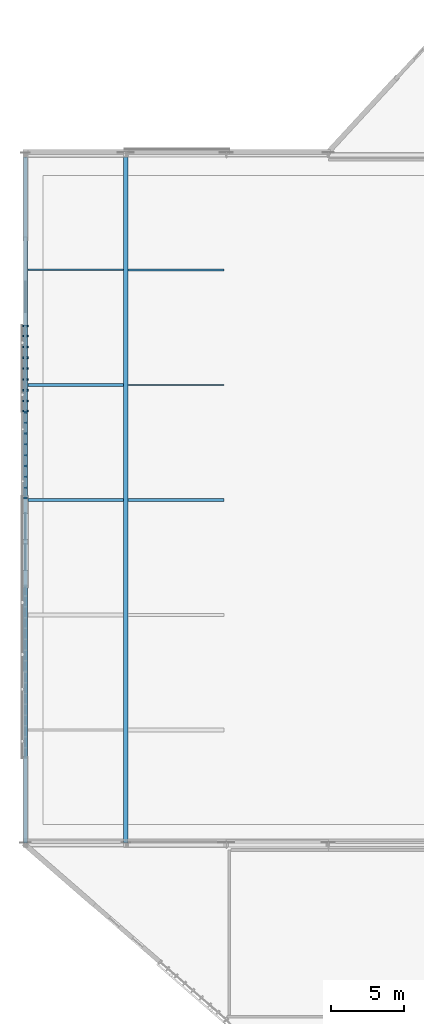
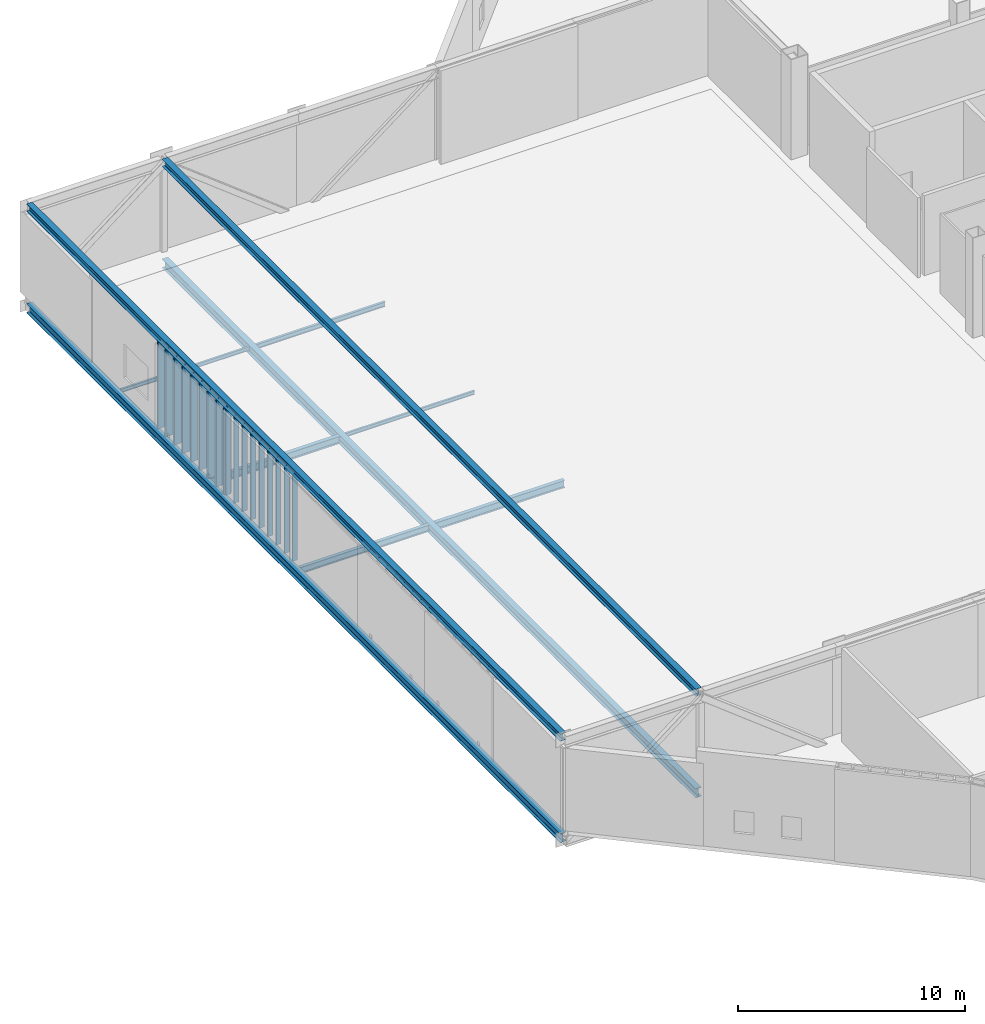
# One storey, part 20 of 135: 18 members, 10 beams, 2 elements without a shape of their own.
"""IFC4 building model written with IfcOpenShell, lengths in metres."""

from ifc_helpers import new_model, si_unit, direction, frame, origin, origin_2d, place, context, subcontext, project, spatial, rectangle, i_section, extrude, material, material_profile, profile_set, type_object, element, aggregate, save


model = new_model("IFC4")

# Units and contexts
model_context = context("Model", 3, precision=1e-05, world=origin(), true_north=direction((0.0, 1.0)))
body_context = subcontext(model_context, "Body", "Model", "MODEL_VIEW")
ifc_project = project(units=[si_unit("LENGTHUNIT", "METRE"), si_unit("AREAUNIT", "SQUARE_METRE"), si_unit("VOLUMEUNIT", "CUBIC_METRE"), si_unit("PLANEANGLEUNIT", "RADIAN"), si_unit("MASSUNIT", "GRAM", prefix="KILO")], contexts=[model_context])

# Site, building, storey
site_placement = place(None, origin())
site = spatial("IfcSite", under=ifc_project, at=site_placement, CompositionType="ELEMENT")
building_placement = place(site_placement, origin())
building = spatial("IfcBuilding", under=site, at=building_placement, Name="Larkvane Passage Sports Hall", CompositionType="ELEMENT")
storey_placement = place(building_placement, frame((0.0, 0.0, 16.800048828125)))
storey = spatial("IfcBuildingStorey", under=building, at=storey_placement, Name="L03", CompositionType="ELEMENT", Elevation=16.800048828125)

# Beams
ifc_material_1 = material(Name="Steel S355JR", Category="steel")
ifc_material_profile_1 = material_profile(ifc_material_1, i_section(OverallWidth=0.300048828125, OverallDepth=0.389892578125, WebThickness=0.010009765625, FlangeThickness=0.01611328125, FilletRadius=0.01806640625, at=origin_2d()), Name="H-390x300x10x16")
ifc_profile_set_1 = profile_set([ifc_material_profile_1], Name="Steel S355JR")
beam_type_1 = type_object("IfcBeamType", Name="BM-STL-H390", PredefinedType="BEAM", material=ifc_profile_set_1)
for number, where, z_axis, x_axis, name in (
    (1, (0.0, 51.75, 4.85498046875), (0.0, 1.0, 0.0), (-1.0, 0.0, 0.0), "Cantilever transverse top beam CT-W3A--1"),
    (2, (6.89990234375, 51.75, 4.85498046875), (0.0, 1.0, 0.0), (-1.0, 0.0, 0.0), "Cantilever transverse top beam CT-W3A--2"),
):
    element("IfcBeam", number, at=place(storey_placement, frame(where, z_axis=z_axis, x_axis=x_axis)), inside=storey, type_object=beam_type_1, Name=name, PredefinedType="BEAM", context=body_context, shape_type="SweptSolid", body=[
        extrude(i_section(OverallWidth=0.300048828125, OverallDepth=0.389892578125, WebThickness=0.010009765625, FlangeThickness=0.01611328125, FilletRadius=0.01806640625, at=origin_2d()), origin(), (0.0, 0.0, 1.0), 47.10009765625),
    ])
ifc_material_profile_2 = material_profile(ifc_material_1, i_section(OverallWidth=0.300048828125, OverallDepth=0.488037109375, WebThickness=0.010986328125, FlangeThickness=0.01806640625, FilletRadius=0.02197265625, at=origin_2d()), Name="H-488x300x11x18")
ifc_profile_set_2 = profile_set([ifc_material_profile_2], Name="Steel S355JR")
beam_type_2 = type_object("IfcBeamType", Name="BM-STL-H488", PredefinedType="BEAM", material=ifc_profile_set_2)
for number, where, z_axis, x_axis, name in (
    (3, (0.0, 51.75, -0.56396484375), (0.0, 1.0, 0.0), (-1.0, 0.0, 0.0), "Cantilever transverse flr beam CT-W3A--1"),
    (4, (6.89990234375, 51.75, -0.56396484375), (0.0, 1.0, 0.0), (-1.0, 0.0, 0.0), "Cantilever transverse flr beam CT-W3A--2"),
):
    element("IfcBeam", number, at=place(storey_placement, frame(where, z_axis=z_axis, x_axis=x_axis)), inside=storey, type_object=beam_type_2, Name=name, PredefinedType="BEAM", context=body_context, shape_type="SweptSolid", body=[
        extrude(i_section(OverallWidth=0.300048828125, OverallDepth=0.488037109375, WebThickness=0.010986328125, FlangeThickness=0.01806640625, FilletRadius=0.02197265625, at=origin_2d()), origin(), (0.0, 0.0, 1.0), 47.10009765625),
    ])

# Curtain wall, members
ifc_material_2 = material(Name="Thermally broken aluminium and low-E glazing", Category="aluminium")
curtain_wall_type_1 = type_object("IfcCurtainWallType", Name="CW-CLINIC", PredefinedType="USERDEFINED", material=ifc_material_2)
curtain_wall_1_placement = place(storey_placement, origin())
curtain_wall_1 = element("IfcCurtainWall", 5, at=curtain_wall_1_placement, inside=storey, type_object=curtain_wall_type_1, Name="Curtain wall CW5-L03-135", ObjectType="UNITISED CURTAIN WALL", PredefinedType="USERDEFINED")
ifc_material_3 = material(Name="Anodised aluminium 6063-T6", Category="aluminium")
ifc_material_profile_3 = material_profile(ifc_material_3, rectangle(XDim=0.110107421875, YDim=0.360107421875, at=origin_2d()), Name="ALU-MUL-110x360")
ifc_profile_set_3 = profile_set([ifc_material_profile_3], Name="Anodised aluminium 6063-T6")
member_type_1 = type_object("IfcMemberType", Name="CW-MUL-110x360", PredefinedType="MULLION", material=ifc_profile_set_3)
member_1_placement = place(storey_placement, frame((0.0, 81.405029296875, 0.0), z_axis=(0.0, 0.0, 1.0), x_axis=(0.0, 1.0, 0.0)))
member_1 = element("IfcMember", 6, at=member_1_placement, type_object=member_type_1, Name="CW-05 mullion 1", PredefinedType="MULLION", context=body_context, shape_type="SweptSolid", body=[
    extrude(rectangle(XDim=0.110107421875, YDim=0.360107421875, at=origin_2d()), origin(), (0.0, 0.0, 1.0), 4.64794921875),
])
member_2_placement = place(storey_placement, frame((0.0, 82.09375, 0.0), z_axis=(0.0, 0.0, 1.0), x_axis=(0.0, 1.0, 0.0)))
member_2 = element("IfcMember", 7, at=member_2_placement, type_object=member_type_1, Name="CW-05 mullion 2", PredefinedType="MULLION", context=body_context, shape_type="SweptSolid", body=[
    extrude(rectangle(XDim=0.110107421875, YDim=0.360107421875, at=origin_2d()), origin(), (0.0, 0.0, 1.0), 4.64794921875),
])
member_3_placement = place(storey_placement, frame((0.0, 82.83740234375, 0.0), z_axis=(0.0, 0.0, 1.0), x_axis=(0.0, 1.0, 0.0)))
member_3 = element("IfcMember", 8, at=member_3_placement, type_object=member_type_1, Name="CW-05 mullion 3", PredefinedType="MULLION", context=body_context, shape_type="SweptSolid", body=[
    extrude(rectangle(XDim=0.110107421875, YDim=0.360107421875, at=origin_2d()), origin(), (0.0, 0.0, 1.0), 4.64794921875),
])
member_4_placement = place(storey_placement, frame((0.0, 83.581298828125, 0.0), z_axis=(0.0, 0.0, 1.0), x_axis=(0.0, 1.0, 0.0)))
member_4 = element("IfcMember", 9, at=member_4_placement, type_object=member_type_1, Name="CW-05 mullion 4", PredefinedType="MULLION", context=body_context, shape_type="SweptSolid", body=[
    extrude(rectangle(XDim=0.110107421875, YDim=0.360107421875, at=origin_2d()), origin(), (0.0, 0.0, 1.0), 4.64794921875),
])
member_5_placement = place(storey_placement, frame((0.0, 84.324951171875, 0.0), z_axis=(0.0, 0.0, 1.0), x_axis=(0.0, 1.0, 0.0)))
member_5 = element("IfcMember", 10, at=member_5_placement, type_object=member_type_1, Name="CW-05 mullion 5", PredefinedType="MULLION", context=body_context, shape_type="SweptSolid", body=[
    extrude(rectangle(XDim=0.110107421875, YDim=0.360107421875, at=origin_2d()), origin(), (0.0, 0.0, 1.0), 4.64794921875),
])
member_6_placement = place(storey_placement, frame((0.0, 85.06884765625, 0.0), z_axis=(0.0, 0.0, 1.0), x_axis=(0.0, 1.0, 0.0)))
member_6 = element("IfcMember", 11, at=member_6_placement, type_object=member_type_1, Name="CW-05 mullion 6", PredefinedType="MULLION", context=body_context, shape_type="SweptSolid", body=[
    extrude(rectangle(XDim=0.110107421875, YDim=0.360107421875, at=origin_2d()), origin(), (0.0, 0.0, 1.0), 4.64794921875),
])
member_7_placement = place(storey_placement, frame((0.0, 85.8125, 0.0), z_axis=(0.0, 0.0, 1.0), x_axis=(0.0, 1.0, 0.0)))
member_7 = element("IfcMember", 12, at=member_7_placement, type_object=member_type_1, Name="CW-05 mullion 7", PredefinedType="MULLION", context=body_context, shape_type="SweptSolid", body=[
    extrude(rectangle(XDim=0.110107421875, YDim=0.360107421875, at=origin_2d()), origin(), (0.0, 0.0, 1.0), 4.64794921875),
])
member_8_placement = place(storey_placement, frame((0.0, 86.55615234375, 0.0), z_axis=(0.0, 0.0, 1.0), x_axis=(0.0, 1.0, 0.0)))
member_8 = element("IfcMember", 13, at=member_8_placement, type_object=member_type_1, Name="CW-05 mullion 8", PredefinedType="MULLION", context=body_context, shape_type="SweptSolid", body=[
    extrude(rectangle(XDim=0.110107421875, YDim=0.360107421875, at=origin_2d()), origin(), (0.0, 0.0, 1.0), 4.64794921875),
])
member_9_placement = place(storey_placement, frame((0.0, 87.2451171875, 0.0), z_axis=(0.0, 0.0, 1.0), x_axis=(0.0, 1.0, 0.0)))
member_9 = element("IfcMember", 14, at=member_9_placement, type_object=member_type_1, Name="CW-05 mullion 9", PredefinedType="MULLION", context=body_context, shape_type="SweptSolid", body=[
    extrude(rectangle(XDim=0.110107421875, YDim=0.360107421875, at=origin_2d()), origin(), (0.0, 0.0, 1.0), 4.64794921875),
])
aggregate(curtain_wall_1, [member_1, member_2, member_3, member_4, member_5, member_6, member_7, member_8, member_9])

curtain_wall_type_2 = type_object("IfcCurtainWallType", Name="CW-STICK-FOYER", PredefinedType="USERDEFINED", material=ifc_material_2)
curtain_wall_2_placement = place(storey_placement, origin())
curtain_wall_2 = element("IfcCurtainWall", 15, at=curtain_wall_2_placement, inside=storey, type_object=curtain_wall_type_2, Name="Curtain wall CW5-L03-134", ObjectType="STICK CURTAIN WALL", PredefinedType="USERDEFINED")
ifc_material_profile_4 = material_profile(ifc_material_3, rectangle(XDim=0.080078125, YDim=0.25, at=origin_2d()), Name="ALU-MUL-80x250")
ifc_profile_set_4 = profile_set([ifc_material_profile_4], Name="Anodised aluminium 6063-T6")
member_type_2 = type_object("IfcMemberType", Name="CW-MUL-80x250", PredefinedType="MULLION", material=ifc_profile_set_4)
member_10_placement = place(storey_placement, frame((0.0, 75.43994140625, 0.0), z_axis=(0.0, 0.0, 1.0), x_axis=(0.0, 1.0, 0.0)))
member_10 = element("IfcMember", 16, at=member_10_placement, type_object=member_type_2, Name="CW-03 mullion 1", PredefinedType="MULLION", context=body_context, shape_type="SweptSolid", body=[
    extrude(rectangle(XDim=0.080078125, YDim=0.25, at=origin_2d()), origin(), (0.0, 0.0, 1.0), 4.64794921875),
])
member_11_placement = place(storey_placement, frame((0.0, 76.143798828125, 0.0), z_axis=(0.0, 0.0, 1.0), x_axis=(0.0, 1.0, 0.0)))
member_11 = element("IfcMember", 17, at=member_11_placement, type_object=member_type_2, Name="CW-03 mullion 2", PredefinedType="MULLION", context=body_context, shape_type="SweptSolid", body=[
    extrude(rectangle(XDim=0.080078125, YDim=0.25, at=origin_2d()), origin(), (0.0, 0.0, 1.0), 4.64794921875),
])
member_12_placement = place(storey_placement, frame((0.0, 76.887451171875, 0.0), z_axis=(0.0, 0.0, 1.0), x_axis=(0.0, 1.0, 0.0)))
member_12 = element("IfcMember", 18, at=member_12_placement, type_object=member_type_2, Name="CW-03 mullion 3", PredefinedType="MULLION", context=body_context, shape_type="SweptSolid", body=[
    extrude(rectangle(XDim=0.080078125, YDim=0.25, at=origin_2d()), origin(), (0.0, 0.0, 1.0), 4.64794921875),
])
member_13_placement = place(storey_placement, frame((0.0, 77.63134765625, 0.0), z_axis=(0.0, 0.0, 1.0), x_axis=(0.0, 1.0, 0.0)))
member_13 = element("IfcMember", 19, at=member_13_placement, type_object=member_type_2, Name="CW-03 mullion 4", PredefinedType="MULLION", context=body_context, shape_type="SweptSolid", body=[
    extrude(rectangle(XDim=0.080078125, YDim=0.25, at=origin_2d()), origin(), (0.0, 0.0, 1.0), 4.64794921875),
])
member_14_placement = place(storey_placement, frame((0.0, 78.375, 0.0), z_axis=(0.0, 0.0, 1.0), x_axis=(0.0, 1.0, 0.0)))
member_14 = element("IfcMember", 20, at=member_14_placement, type_object=member_type_2, Name="CW-03 mullion 5", PredefinedType="MULLION", context=body_context, shape_type="SweptSolid", body=[
    extrude(rectangle(XDim=0.080078125, YDim=0.25, at=origin_2d()), origin(), (0.0, 0.0, 1.0), 4.64794921875),
])
member_15_placement = place(storey_placement, frame((0.0, 79.11865234375, 0.0), z_axis=(0.0, 0.0, 1.0), x_axis=(0.0, 1.0, 0.0)))
member_15 = element("IfcMember", 21, at=member_15_placement, type_object=member_type_2, Name="CW-03 mullion 6", PredefinedType="MULLION", context=body_context, shape_type="SweptSolid", body=[
    extrude(rectangle(XDim=0.080078125, YDim=0.25, at=origin_2d()), origin(), (0.0, 0.0, 1.0), 4.64794921875),
])
member_16_placement = place(storey_placement, frame((0.0, 79.862548828125, 0.0), z_axis=(0.0, 0.0, 1.0), x_axis=(0.0, 1.0, 0.0)))
member_16 = element("IfcMember", 22, at=member_16_placement, type_object=member_type_2, Name="CW-03 mullion 7", PredefinedType="MULLION", context=body_context, shape_type="SweptSolid", body=[
    extrude(rectangle(XDim=0.080078125, YDim=0.25, at=origin_2d()), origin(), (0.0, 0.0, 1.0), 4.64794921875),
])
member_17_placement = place(storey_placement, frame((0.0, 80.606201171875, 0.0), z_axis=(0.0, 0.0, 1.0), x_axis=(0.0, 1.0, 0.0)))
member_17 = element("IfcMember", 23, at=member_17_placement, type_object=member_type_2, Name="CW-03 mullion 8", PredefinedType="MULLION", context=body_context, shape_type="SweptSolid", body=[
    extrude(rectangle(XDim=0.080078125, YDim=0.25, at=origin_2d()), origin(), (0.0, 0.0, 1.0), 4.64794921875),
])
member_18_placement = place(storey_placement, frame((0.0, 81.31005859375, 0.0), z_axis=(0.0, 0.0, 1.0), x_axis=(0.0, 1.0, 0.0)))
member_18 = element("IfcMember", 24, at=member_18_placement, type_object=member_type_2, Name="CW-03 mullion 9", PredefinedType="MULLION", context=body_context, shape_type="SweptSolid", body=[
    extrude(rectangle(XDim=0.080078125, YDim=0.25, at=origin_2d()), origin(), (0.0, 0.0, 1.0), 4.64794921875),
])
aggregate(curtain_wall_2, [member_10, member_11, member_12, member_13, member_14, member_15, member_16, member_17, member_18])

# Beams
ifc_material_profile_5 = material_profile(ifc_material_1, i_section(OverallWidth=0.10009765625, OverallDepth=0.199951171875, WebThickness=0.005615234375, FlangeThickness=0.008056640625, FilletRadius=0.008056640625, at=origin_2d()), Name="H-200x100x5.5x8")
ifc_profile_set_5 = profile_set([ifc_material_profile_5], Name="Steel S355JR")
beam_type_3 = type_object("IfcBeamType", Name="JST-STL-H200", PredefinedType="JOIST", material=ifc_profile_set_5)
beam_1_placement = place(storey_placement, frame((0.159912109375, 91.10009765625, -0.420166015625), z_axis=(1.0, 0.0, 0.0), x_axis=(0.0, 1.0, 0.0)))
element("IfcBeam", 25, at=beam_1_placement, inside=storey, type_object=beam_type_3, Name="Cantilever floor joist CT-W3A--1-5", PredefinedType="JOIST", context=body_context, shape_type="SweptSolid", body=[
    extrude(i_section(OverallWidth=0.10009765625, OverallDepth=0.199951171875, WebThickness=0.005615234375, FlangeThickness=0.008056640625, FilletRadius=0.008056640625, at=origin_2d()), origin(), (0.0, 0.0, 1.0), 6.580078125),
])
beam_2_placement = place(storey_placement, frame((7.06005859375, 83.199951171875, -0.420166015625), z_axis=(1.0, 0.0, 0.0), x_axis=(0.0, 1.0, 0.0)))
element("IfcBeam", 26, at=beam_2_placement, inside=storey, type_object=beam_type_3, Name="Cantilever floor joist CT-W3A--2-4", PredefinedType="JOIST", context=body_context, shape_type="SweptSolid", body=[
    extrude(i_section(OverallWidth=0.10009765625, OverallDepth=0.199951171875, WebThickness=0.005615234375, FlangeThickness=0.008056640625, FilletRadius=0.008056640625, at=origin_2d()), origin(), (0.0, 0.0, 1.0), 6.579833984375),
])
ifc_material_profile_6 = material_profile(ifc_material_1, i_section(OverallWidth=0.125, OverallDepth=0.25, WebThickness=0.006103515625, FlangeThickness=0.009033203125, FilletRadius=0.008056640625, at=origin_2d()), Name="H-250x125x6x9")
ifc_profile_set_6 = profile_set([ifc_material_profile_6], Name="Steel S355JR")
beam_type_4 = type_object("IfcBeamType", Name="JST-STL-H250", PredefinedType="JOIST", material=ifc_profile_set_6)
beam_3_placement = place(storey_placement, frame((7.06005859375, 91.10009765625, -0.445068359375), z_axis=(1.0, 0.0, 0.0), x_axis=(0.0, 1.0, 0.0)))
element("IfcBeam", 27, at=beam_3_placement, inside=storey, type_object=beam_type_4, Name="Cantilever floor joist CT-W3A--2-5", PredefinedType="JOIST", context=body_context, shape_type="SweptSolid", body=[
    extrude(i_section(OverallWidth=0.125, OverallDepth=0.25, WebThickness=0.006103515625, FlangeThickness=0.009033203125, FilletRadius=0.008056640625, at=origin_2d()), origin(), (0.0, 0.0, 1.0), 6.579833984375),
])
ifc_material_profile_7 = material_profile(ifc_material_1, i_section(OverallWidth=0.175048828125, OverallDepth=0.35009765625, WebThickness=0.007080078125, FlangeThickness=0.010986328125, FilletRadius=0.012939453125, at=origin_2d()), Name="H-350x175x7x11")
ifc_profile_set_7 = profile_set([ifc_material_profile_7], Name="Steel S355JR")
beam_type_5 = type_object("IfcBeamType", Name="JST-STL-H350", PredefinedType="JOIST", material=ifc_profile_set_7)
beam_4_placement = place(storey_placement, frame((0.159912109375, 75.300048828125, -0.4951171875), z_axis=(1.0, 0.0, 0.0), x_axis=(0.0, 1.0, 0.0)))
element("IfcBeam", 28, at=beam_4_placement, inside=storey, type_object=beam_type_5, Name="Cantilever floor joist CT-W3A--1-3", PredefinedType="JOIST", context=body_context, shape_type="SweptSolid", body=[
    extrude(i_section(OverallWidth=0.175048828125, OverallDepth=0.35009765625, WebThickness=0.007080078125, FlangeThickness=0.010986328125, FilletRadius=0.012939453125, at=origin_2d()), origin(), (0.0, 0.0, 1.0), 6.580078125),
])
ifc_material_profile_8 = material_profile(ifc_material_1, i_section(OverallWidth=0.199951171875, OverallDepth=0.39990234375, WebThickness=0.008056640625, FlangeThickness=0.012939453125, FilletRadius=0.012939453125, at=origin_2d()), Name="H-400x200x8x13")
ifc_profile_set_8 = profile_set([ifc_material_profile_8], Name="Steel S355JR")
beam_type_6 = type_object("IfcBeamType", Name="JST-STL-H400", PredefinedType="JOIST", material=ifc_profile_set_8)
beam_5_placement = place(storey_placement, frame((0.159912109375, 83.199951171875, -0.52001953125), z_axis=(1.0, 0.0, 0.0), x_axis=(0.0, 1.0, 0.0)))
element("IfcBeam", 29, at=beam_5_placement, inside=storey, type_object=beam_type_6, Name="Cantilever floor joist CT-W3A--1-4", PredefinedType="JOIST", context=body_context, shape_type="SweptSolid", body=[
    extrude(i_section(OverallWidth=0.199951171875, OverallDepth=0.39990234375, WebThickness=0.008056640625, FlangeThickness=0.012939453125, FilletRadius=0.012939453125, at=origin_2d()), origin(), (0.0, 0.0, 1.0), 6.580078125),
])
beam_6_placement = place(storey_placement, frame((7.06005859375, 75.300048828125, -0.52001953125), z_axis=(1.0, 0.0, 0.0), x_axis=(0.0, 1.0, 0.0)))
element("IfcBeam", 30, at=beam_6_placement, inside=storey, type_object=beam_type_6, Name="Cantilever floor joist CT-W3A--2-3", PredefinedType="JOIST", context=body_context, shape_type="SweptSolid", body=[
    extrude(i_section(OverallWidth=0.199951171875, OverallDepth=0.39990234375, WebThickness=0.008056640625, FlangeThickness=0.012939453125, FilletRadius=0.012939453125, at=origin_2d()), origin(), (0.0, 0.0, 1.0), 6.579833984375),
])

save(model, "model.ifc")
